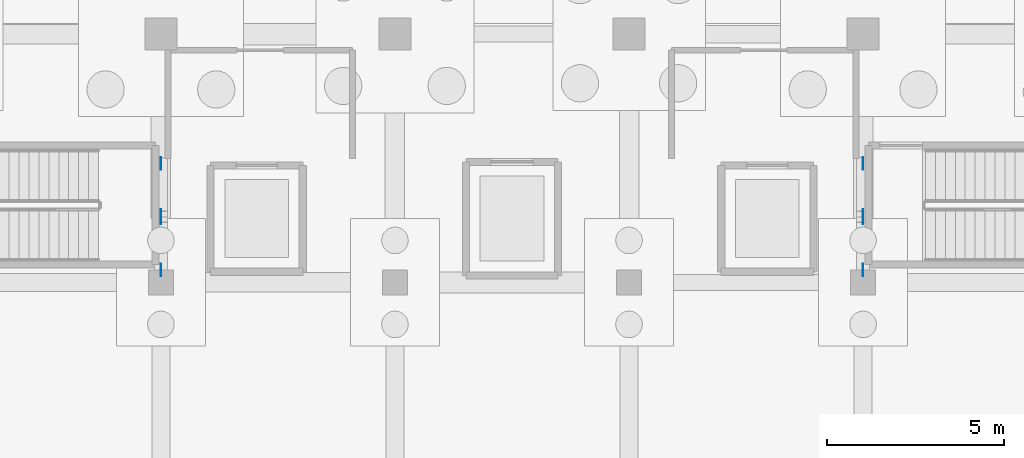
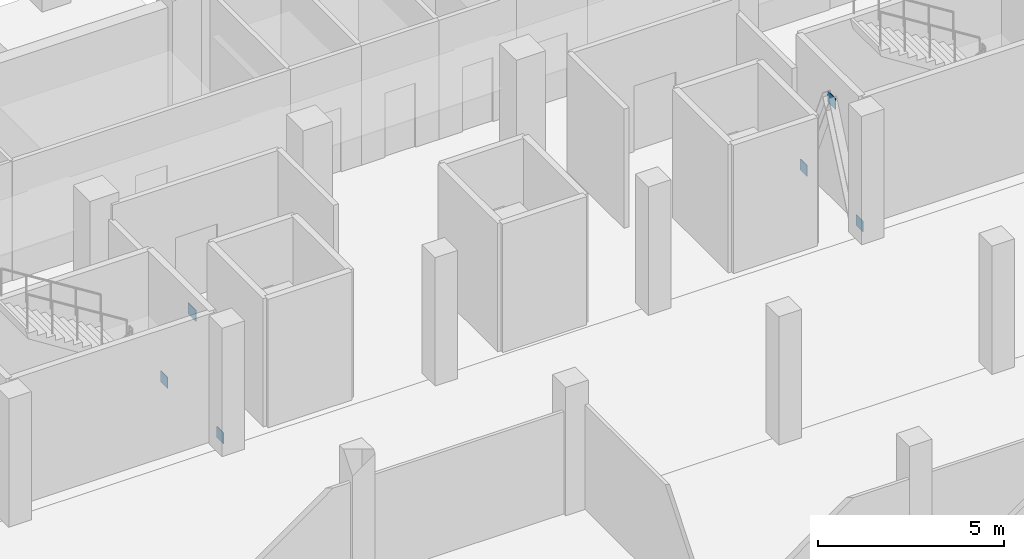
# One storey, part 15 of 27: 6 plates.
"""IFC4 building model written with IfcOpenShell, lengths in metres."""

from ifc_helpers import new_model, si_unit, direction, frame, origin, origin_2d, place, context, subcontext, project, spatial, rectangle, extrude, material, layer, layer_set, type_object, element, save


model = new_model("IFC4")

# Units and contexts
model_context = context("Model", 3, precision=1e-05, world=origin(), true_north=direction((0.0, 1.0)))
body_context = subcontext(model_context, "Body", "Model", "MODEL_VIEW")
ifc_project = project(units=[si_unit("LENGTHUNIT", "METRE"), si_unit("AREAUNIT", "SQUARE_METRE"), si_unit("VOLUMEUNIT", "CUBIC_METRE"), si_unit("PLANEANGLEUNIT", "RADIAN"), si_unit("MASSUNIT", "GRAM", prefix="KILO")], contexts=[model_context])

# Site, building, storey
site_placement = place(None, origin())
site = spatial("IfcSite", under=ifc_project, at=site_placement, CompositionType="ELEMENT")
building_placement = place(site_placement, origin())
building = spatial("IfcBuilding", under=site, at=building_placement, Name="Ciguamira Faculty of Natural Sciences", CompositionType="ELEMENT")
storey_placement = place(building_placement, frame((0.0, 0.0, -4.199951171875)))
storey = spatial("IfcBuildingStorey", under=building, at=storey_placement, Name="B1", CompositionType="ELEMENT", Elevation=-4.199951171875)

# Plates
ifc_material = material(Name="Steel ASTM A572 Grade 50", Category="steel")
ifc_layer = layer(ifc_material, 0.02001953125, Name="Steel ASTM A572 Grade 50")
ifc_layer_set = layer_set([ifc_layer], Name="Steel ASTM A572 Grade 50")
plate_type = type_object("IfcPlateType", Name="GussetPlate_EP-02", PredefinedType="SHEET", material=ifc_layer_set)
plate_1_placement = place(storey_placement, frame((77.10009765625, 95.85009765625, 3.10009765625), z_axis=(0.0, 0.0, 1.0), x_axis=(1.0, 0.0, 0.0)))
element("IfcPlate", 1, at=plate_1_placement, inside=storey, type_object=plate_type, Name="B1 chevron brace apex gusset plate 001", PredefinedType="SHEET", context=body_context, shape_type="SweptSolid", body=[
    extrude(rectangle(XDim=0.02001953125, YDim=0.419921875, at=origin_2d()), origin(), (0.0, 0.0, 1.0), 0.360107421875),
])
for number, where, z_axis, x_axis, name in (
    (2, (77.10009765625, 94.35009765625, -0.02001953125), (0.0, 0.0, 1.0), (1.0, 0.0, 0.0), "B1 chevron brace base gusset plate 001"),
    (3, (77.10009765625, 97.35009765625, -0.02001953125), (0.0, 0.0, 1.0), (1.0, 0.0, 0.0), "B1 chevron brace base gusset plate 002"),
):
    element("IfcPlate", number, at=place(storey_placement, frame(where, z_axis=z_axis, x_axis=x_axis)), inside=storey, type_object=plate_type, Name=name, PredefinedType="SHEET", context=body_context, shape_type="SweptSolid", body=[
        extrude(rectangle(XDim=0.02001953125, YDim=0.360107421875, at=origin_2d()), origin(), (0.0, 0.0, 1.0), 0.360107421875),
    ])
plate_2_placement = place(storey_placement, frame((96.89990234375, 95.85009765625, 3.10009765625), z_axis=(0.0, 0.0, 1.0), x_axis=(1.0, 0.0, 0.0)))
element("IfcPlate", 4, at=plate_2_placement, inside=storey, type_object=plate_type, Name="B1 chevron brace apex gusset plate 002", PredefinedType="SHEET", context=body_context, shape_type="SweptSolid", body=[
    extrude(rectangle(XDim=0.02001953125, YDim=0.419921875, at=origin_2d()), origin(), (0.0, 0.0, 1.0), 0.360107421875),
])
for number, where, z_axis, x_axis, name in (
    (5, (96.89990234375, 94.35009765625, -0.02001953125), (0.0, 0.0, 1.0), (1.0, 0.0, 0.0), "B1 chevron brace base gusset plate 003"),
    (6, (96.89990234375, 97.35009765625, -0.02001953125), (0.0, 0.0, 1.0), (1.0, 0.0, 0.0), "B1 chevron brace base gusset plate 004"),
):
    element("IfcPlate", number, at=place(storey_placement, frame(where, z_axis=z_axis, x_axis=x_axis)), inside=storey, type_object=plate_type, Name=name, PredefinedType="SHEET", context=body_context, shape_type="SweptSolid", body=[
        extrude(rectangle(XDim=0.02001953125, YDim=0.360107421875, at=origin_2d()), origin(), (0.0, 0.0, 1.0), 0.360107421875),
    ])

save(model, "model.ifc")
